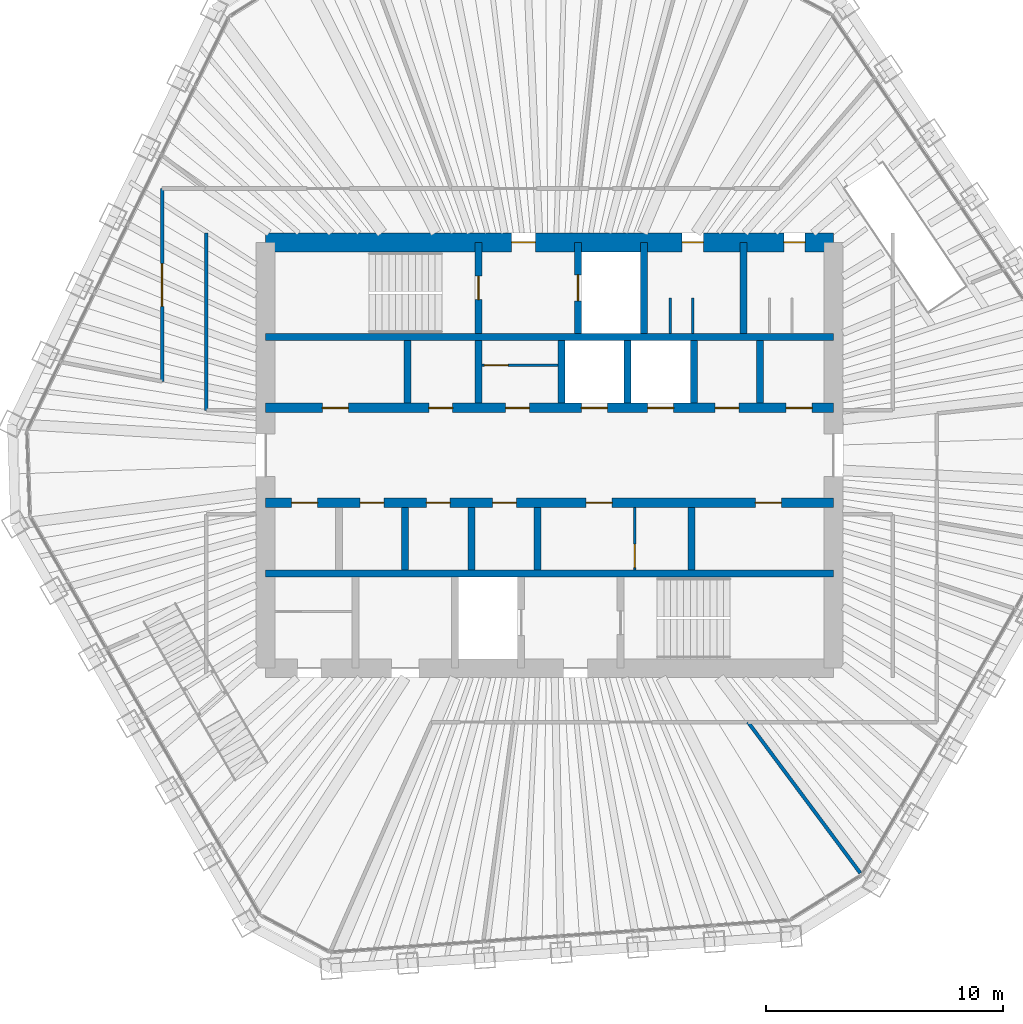
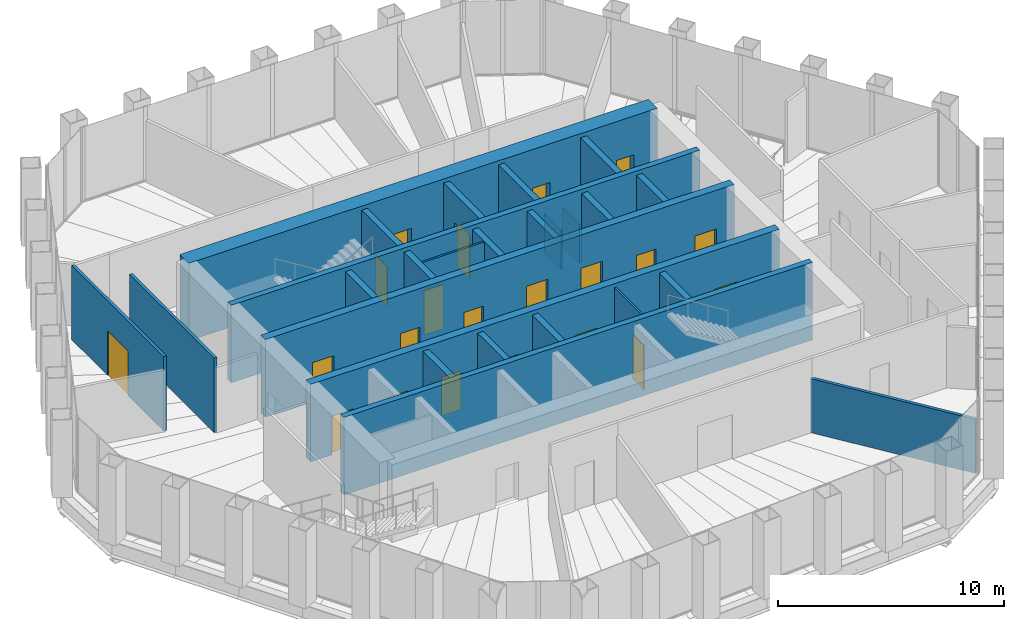
# One storey, part 14 of 17: 26 walls, 21 doors, 21 openings.
"""IFC4 building model written with IfcOpenShell, lengths in metres."""

from ifc_helpers import new_model, si_unit, direction, frame, frame_2d, origin, place, context, subcontext, project, spatial, rectangle, extrude, material, layer, layer_set, type_object, element, fill, save


model = new_model("IFC4")

# Units and contexts
model_context = context("Model", 3, precision=1e-05, world=origin(), true_north=direction((0.0, 1.0)))
body_context = subcontext(model_context, "Body", "Model", "MODEL_VIEW")
ifc_project = project(units=[si_unit("LENGTHUNIT", "METRE"), si_unit("AREAUNIT", "SQUARE_METRE"), si_unit("VOLUMEUNIT", "CUBIC_METRE"), si_unit("PLANEANGLEUNIT", "RADIAN"), si_unit("MASSUNIT", "GRAM", prefix="KILO")], contexts=[model_context])

# Site, building, storey
site_placement = place(None, origin())
site = spatial("IfcSite", under=ifc_project, at=site_placement, CompositionType="ELEMENT")
building_placement = place(site_placement, origin())
building = spatial("IfcBuilding", under=site, at=building_placement, Name="Qingtian Harvest Tower", CompositionType="ELEMENT")
storey_placement = place(building_placement, frame((0.0, 0.0, 329.199951171875)))
storey = spatial("IfcBuildingStorey", under=building, at=storey_placement, Name="L73", CompositionType="ELEMENT", Elevation=329.199951171875)

# Walls
ifc_material_1 = material(Name="Concrete fc' 70 MPa", Category="concrete")
ifc_layer_1 = layer(ifc_material_1, 0.300048828125)
ifc_layer_set_1 = layer_set([ifc_layer_1], Name="Core inner wall RC5 300")
wall_type_1 = type_object("IfcWallType", Name="Core inner wall RC5 300", PredefinedType="SHEAR", material=ifc_layer_set_1)
for number, where, z_axis, x_axis, name in (
    (1, (-12.0, 5.0, 0.0), (0.0, 0.0, 1.0), (1.0, 0.0, 0.0), "Core wall IN5 L73"),
    (2, (-12.0, -5.0, 0.0), (0.0, 0.0, 1.0), (1.0, 0.0, 0.0), "Core wall IS5 L73"),
):
    element("IfcWall", number, at=place(storey_placement, frame(where, z_axis=z_axis, x_axis=x_axis)), inside=storey, type_object=wall_type_1, Name=name, PredefinedType="SHEAR", context=body_context, shape_type="SweptSolid", body=[
        extrude(rectangle(XDim=24.0, YDim=0.300048828125, at=frame_2d((12.0, 0.0))), origin(), (0.0, 0.0, 1.0), 4.199951171875),
    ])

# Wall, openings, doors
ifc_material_2 = material(Name="Concrete fc' 70 MPa", Category="concrete")
ifc_layer_2 = layer(ifc_material_2, 0.39990234375)
ifc_layer_set_2 = layer_set([ifc_layer_2], Name="Core inner web RC6 400")
wall_type_2 = type_object("IfcWallType", Name="Core inner web RC6 400", PredefinedType="SHEAR", material=ifc_layer_set_2)
wall_1_placement = place(storey_placement, frame((-12.0, 2.0, 0.0), z_axis=(0.0, 0.0, 1.0), x_axis=(1.0, 0.0, 0.0)))
wall_1 = element("IfcWall", 3, at=wall_1_placement, inside=storey, type_object=wall_type_2, Name="Core wall IN2 L73", PredefinedType="SHEAR", context=body_context, shape_type="SweptSolid", body=[
    extrude(rectangle(XDim=24.0, YDim=0.39990234375, at=frame_2d((12.0, 0.0))), origin(), (0.0, 0.0, 1.0), 4.199951171875),
])
opening_1_placement = place(wall_1_placement, frame((2.39990234375, 0.0, 0.0)))
opening_1 = element("IfcOpeningElement", 4, at=opening_1_placement, cuts=wall_1, Name="Opening FD4", PredefinedType="OPENING", context=body_context, shape_type="SweptSolid", body=[
    extrude(rectangle(XDim=1.10009765625, YDim=2.10009765625, at=frame_2d((0.550048828125, 1.050048828125))), frame((0.0, 0.2099609375, 0.0), z_axis=(0.0, -1.0, 0.0), x_axis=(1.0, 0.0, 0.0)), (0.0, 0.0, 1.0), 0.419921875),
])
opening_2_placement = place(wall_1_placement, frame((22.0, 0.0, 0.0)))
opening_2 = element("IfcOpeningElement", 5, at=opening_2_placement, cuts=wall_1, Name="Opening FD4", PredefinedType="OPENING", context=body_context, shape_type="SweptSolid", body=[
    extrude(rectangle(XDim=1.10009765625, YDim=2.10009765625, at=frame_2d((0.550048828125, 1.050048828125))), frame((0.0, 0.2099609375, 0.0), z_axis=(0.0, -1.0, 0.0), x_axis=(1.0, 0.0, 0.0)), (0.0, 0.0, 1.0), 0.419921875),
])
opening_3_placement = place(wall_1_placement, frame((10.14990234375, 0.0, 0.0)))
opening_3 = element("IfcOpeningElement", 6, at=opening_3_placement, cuts=wall_1, Name="Opening FD1", PredefinedType="OPENING", context=body_context, shape_type="SweptSolid", body=[
    extrude(rectangle(XDim=1.0, YDim=2.10009765625, at=frame_2d((0.5, 1.050048828125))), frame((0.0, 0.2099609375, 0.0), z_axis=(0.0, -1.0, 0.0), x_axis=(1.0, 0.0, 0.0)), (0.0, 0.0, 1.0), 0.419921875),
])
opening_4_placement = place(wall_1_placement, frame((6.89990234375, 0.0, 0.0)))
opening_4 = element("IfcOpeningElement", 7, at=opening_4_placement, cuts=wall_1, Name="Opening FD1", PredefinedType="OPENING", context=body_context, shape_type="SweptSolid", body=[
    extrude(rectangle(XDim=1.0, YDim=2.10009765625, at=frame_2d((0.5, 1.050048828125))), frame((0.0, 0.2099609375, 0.0), z_axis=(0.0, -1.0, 0.0), x_axis=(1.0, 0.0, 0.0)), (0.0, 0.0, 1.0), 0.419921875),
])
opening_5_placement = place(wall_1_placement, frame((13.35009765625, 0.0, 0.0)))
opening_5 = element("IfcOpeningElement", 8, at=opening_5_placement, cuts=wall_1, Name="Opening LD1", PredefinedType="OPENING", context=body_context, shape_type="SweptSolid", body=[
    extrude(rectangle(XDim=1.10009765625, YDim=2.39990234375, at=frame_2d((0.550048828125, 1.199951171875))), frame((0.0, 0.2099609375, 0.0), z_axis=(0.0, -1.0, 0.0), x_axis=(1.0, 0.0, 0.0)), (0.0, 0.0, 1.0), 0.419921875),
])
opening_6_placement = place(wall_1_placement, frame((16.14990234375, 0.0, 0.0)))
opening_6 = element("IfcOpeningElement", 9, at=opening_6_placement, cuts=wall_1, Name="Opening LD1", PredefinedType="OPENING", context=body_context, shape_type="SweptSolid", body=[
    extrude(rectangle(XDim=1.10009765625, YDim=2.39990234375, at=frame_2d((0.550048828125, 1.199951171875))), frame((0.0, 0.2099609375, 0.0), z_axis=(0.0, -1.0, 0.0), x_axis=(1.0, 0.0, 0.0)), (0.0, 0.0, 1.0), 0.419921875),
])
opening_7_placement = place(wall_1_placement, frame((19.0, 0.0, 0.0)))
opening_7 = element("IfcOpeningElement", 10, at=opening_7_placement, cuts=wall_1, Name="Opening FD1", PredefinedType="OPENING", context=body_context, shape_type="SweptSolid", body=[
    extrude(rectangle(XDim=1.0, YDim=2.10009765625, at=frame_2d((0.5, 1.050048828125))), frame((0.0, 0.2099609375, 0.0), z_axis=(0.0, -1.0, 0.0), x_axis=(1.0, 0.0, 0.0)), (0.0, 0.0, 1.0), 0.419921875),
])
ifc_material_3 = material(Name="Steel-faced door leaf", Category="steel")
door_type_1 = type_object("IfcDoorType", Name="Fire door FD1 single 1 HR", OperationType="SINGLE_SWING_LEFT", PredefinedType="DOOR", material=ifc_material_3)
door_1_placement = place(opening_3_placement, origin())
door_1 = element("IfcDoor", 11, at=door_1_placement, inside=storey, type_object=door_type_1, Name="STA door L73", OperationType="SINGLE_SWING_RIGHT", OverallHeight=2.10009765625, OverallWidth=1.0, PredefinedType="DOOR", context=body_context, shape_type="SweptSolid", body=[
    extrude(rectangle(XDim=1.0, YDim=2.10009765625, at=frame_2d((0.5, 1.050048828125))), frame((0.0, 0.02490234375, 0.0), z_axis=(0.0, -1.0, 0.0), x_axis=(1.0, 0.0, 0.0)), (0.0, 0.0, 1.0), 0.050048828125),
])
fill(opening_3, door_1)
door_2_placement = place(opening_4_placement, origin())
door_2 = element("IfcDoor", 12, at=door_2_placement, inside=storey, type_object=door_type_1, Name="IT room door L73", OperationType="SINGLE_SWING_LEFT", OverallHeight=2.10009765625, OverallWidth=1.0, PredefinedType="DOOR", context=body_context, shape_type="SweptSolid", body=[
    extrude(rectangle(XDim=1.0, YDim=2.10009765625, at=frame_2d((0.5, 1.050048828125))), frame((0.0, 0.02490234375, 0.0), z_axis=(0.0, -1.0, 0.0), x_axis=(1.0, 0.0, 0.0)), (0.0, 0.0, 1.0), 0.050048828125),
])
fill(opening_4, door_2)
door_3_placement = place(opening_7_placement, origin())
door_3 = element("IfcDoor", 13, at=door_3_placement, inside=storey, type_object=door_type_1, Name="Tool store door L73", OperationType="SINGLE_SWING_LEFT", OverallHeight=2.10009765625, OverallWidth=1.0, PredefinedType="DOOR", context=body_context, shape_type="SweptSolid", body=[
    extrude(rectangle(XDim=1.0, YDim=2.10009765625, at=frame_2d((0.5, 1.050048828125))), frame((0.0, 0.02490234375, 0.0), z_axis=(0.0, -1.0, 0.0), x_axis=(1.0, 0.0, 0.0)), (0.0, 0.0, 1.0), 0.050048828125),
])
fill(opening_7, door_3)
ifc_material_4 = material(Name="Steel-faced door leaf", Category="steel")
door_type_2 = type_object("IfcDoorType", Name="Fire door FD4 single 2 HR", OperationType="SINGLE_SWING_LEFT", PredefinedType="DOOR", material=ifc_material_4)
door_4_placement = place(opening_1_placement, origin())
door_4 = element("IfcDoor", 14, at=door_4_placement, inside=storey, type_object=door_type_2, Name="RA door L73", OperationType="SINGLE_SWING_RIGHT", OverallHeight=2.10009765625, OverallWidth=1.10009765625, PredefinedType="DOOR", context=body_context, shape_type="SweptSolid", body=[
    extrude(rectangle(XDim=1.10009765625, YDim=2.10009765625, at=frame_2d((0.550048828125, 1.050048828125))), frame((0.0, 0.02490234375, 0.0), z_axis=(0.0, -1.0, 0.0), x_axis=(1.0, 0.0, 0.0)), (0.0, 0.0, 1.0), 0.050048828125),
])
fill(opening_1, door_4)
door_5_placement = place(opening_2_placement, origin())
door_5 = element("IfcDoor", 15, at=door_5_placement, inside=storey, type_object=door_type_2, Name="AHU door L73", OperationType="SINGLE_SWING_LEFT", OverallHeight=2.10009765625, OverallWidth=1.10009765625, PredefinedType="DOOR", context=body_context, shape_type="SweptSolid", body=[
    extrude(rectangle(XDim=1.10009765625, YDim=2.10009765625, at=frame_2d((0.550048828125, 1.050048828125))), frame((0.0, 0.02490234375, 0.0), z_axis=(0.0, -1.0, 0.0), x_axis=(1.0, 0.0, 0.0)), (0.0, 0.0, 1.0), 0.050048828125),
])
fill(opening_2, door_5)
ifc_material_5 = material(Name="Stainless steel lift landing door", Category="steel")
door_type_3 = type_object("IfcDoorType", Name="Lift landing door LD1 1 HR", OperationType="DOUBLE_DOOR_SLIDING", PredefinedType="DOOR", material=ifc_material_5)
door_6_placement = place(opening_5_placement, origin())
door_6 = element("IfcDoor", 16, at=door_6_placement, inside=storey, type_object=door_type_3, Name="PLD1 landing door L73", OperationType="DOUBLE_DOOR_SLIDING", OverallHeight=2.39990234375, OverallWidth=1.10009765625, PredefinedType="DOOR", context=body_context, shape_type="SweptSolid", body=[
    extrude(rectangle(XDim=1.10009765625, YDim=2.39990234375, at=frame_2d((0.550048828125, 1.199951171875))), frame((0.0, 0.02490234375, 0.0), z_axis=(0.0, -1.0, 0.0), x_axis=(1.0, 0.0, 0.0)), (0.0, 0.0, 1.0), 0.050048828125),
])
fill(opening_5, door_6)
door_7_placement = place(opening_6_placement, origin())
door_7 = element("IfcDoor", 17, at=door_7_placement, inside=storey, type_object=door_type_3, Name="PLD2 landing door L73", OperationType="DOUBLE_DOOR_SLIDING", OverallHeight=2.39990234375, OverallWidth=1.10009765625, PredefinedType="DOOR", context=body_context, shape_type="SweptSolid", body=[
    extrude(rectangle(XDim=1.10009765625, YDim=2.39990234375, at=frame_2d((0.550048828125, 1.199951171875))), frame((0.0, 0.02490234375, 0.0), z_axis=(0.0, -1.0, 0.0), x_axis=(1.0, 0.0, 0.0)), (0.0, 0.0, 1.0), 0.050048828125),
])
fill(opening_6, door_7)

wall_2_placement = place(storey_placement, frame((-12.0, -2.0, 0.0), z_axis=(0.0, 0.0, 1.0), x_axis=(1.0, 0.0, 0.0)))
wall_2 = element("IfcWall", 18, at=wall_2_placement, inside=storey, type_object=wall_type_2, Name="Core wall IS2 L73", PredefinedType="SHEAR", context=body_context, shape_type="SweptSolid", body=[
    extrude(rectangle(XDim=24.0, YDim=0.39990234375, at=frame_2d((12.0, 0.0))), origin(), (0.0, 0.0, 1.0), 4.199951171875),
])
opening_8_placement = place(wall_2_placement, frame((1.10009765625, 0.0, 0.0)))
opening_8 = element("IfcOpeningElement", 19, at=opening_8_placement, cuts=wall_2, Name="Opening FD4", PredefinedType="OPENING", context=body_context, shape_type="SweptSolid", body=[
    extrude(rectangle(XDim=1.10009765625, YDim=2.10009765625, at=frame_2d((0.550048828125, 1.050048828125))), frame((0.0, 0.2099609375, 0.0), z_axis=(0.0, -1.0, 0.0), x_axis=(1.0, 0.0, 0.0)), (0.0, 0.0, 1.0), 0.419921875),
])
opening_9_placement = place(wall_2_placement, frame((13.550048828125, 0.0, 0.0)))
opening_9 = element("IfcOpeningElement", 20, at=opening_9_placement, cuts=wall_2, Name="Opening FD4", PredefinedType="OPENING", context=body_context, shape_type="SweptSolid", body=[
    extrude(rectangle(XDim=1.10009765625, YDim=2.10009765625, at=frame_2d((0.550048828125, 1.050048828125))), frame((0.0, 0.2099609375, 0.0), z_axis=(0.0, -1.0, 0.0), x_axis=(1.0, 0.0, 0.0)), (0.0, 0.0, 1.0), 0.419921875),
])
opening_10_placement = place(wall_2_placement, frame((20.699951171875, 0.0, 0.0)))
opening_10 = element("IfcOpeningElement", 21, at=opening_10_placement, cuts=wall_2, Name="Opening FD4", PredefinedType="OPENING", context=body_context, shape_type="SweptSolid", body=[
    extrude(rectangle(XDim=1.10009765625, YDim=2.10009765625, at=frame_2d((0.550048828125, 1.050048828125))), frame((0.0, 0.2099609375, 0.0), z_axis=(0.0, -1.0, 0.0), x_axis=(1.0, 0.0, 0.0)), (0.0, 0.0, 1.0), 0.419921875),
])
opening_11_placement = place(wall_2_placement, frame((4.0, 0.0, 0.0)))
opening_11 = element("IfcOpeningElement", 22, at=opening_11_placement, cuts=wall_2, Name="Opening FD1", PredefinedType="OPENING", context=body_context, shape_type="SweptSolid", body=[
    extrude(rectangle(XDim=1.0, YDim=2.10009765625, at=frame_2d((0.5, 1.050048828125))), frame((0.0, 0.2099609375, 0.0), z_axis=(0.0, -1.0, 0.0), x_axis=(1.0, 0.0, 0.0)), (0.0, 0.0, 1.0), 0.419921875),
])
opening_12_placement = place(wall_2_placement, frame((6.800048828125, 0.0, 0.0)))
opening_12 = element("IfcOpeningElement", 23, at=opening_12_placement, cuts=wall_2, Name="Opening FD1", PredefinedType="OPENING", context=body_context, shape_type="SweptSolid", body=[
    extrude(rectangle(XDim=1.0, YDim=2.10009765625, at=frame_2d((0.5, 1.050048828125))), frame((0.0, 0.2099609375, 0.0), z_axis=(0.0, -1.0, 0.0), x_axis=(1.0, 0.0, 0.0)), (0.0, 0.0, 1.0), 0.419921875),
])
opening_13_placement = place(wall_2_placement, frame((9.60009765625, 0.0, 0.0)))
opening_13 = element("IfcOpeningElement", 24, at=opening_13_placement, cuts=wall_2, Name="Opening FD1", PredefinedType="OPENING", context=body_context, shape_type="SweptSolid", body=[
    extrude(rectangle(XDim=1.0, YDim=2.10009765625, at=frame_2d((0.5, 1.050048828125))), frame((0.0, 0.2099609375, 0.0), z_axis=(0.0, -1.0, 0.0), x_axis=(1.0, 0.0, 0.0)), (0.0, 0.0, 1.0), 0.419921875),
])
door_8_placement = place(opening_11_placement, origin())
door_8 = element("IfcDoor", 25, at=door_8_placement, inside=storey, type_object=door_type_1, Name="Store door L73", OperationType="SINGLE_SWING_LEFT", OverallHeight=2.10009765625, OverallWidth=1.0, PredefinedType="DOOR", context=body_context, shape_type="SweptSolid", body=[
    extrude(rectangle(XDim=1.0, YDim=2.10009765625, at=frame_2d((0.5, 1.050048828125))), frame((0.0, 0.02490234375, 0.0), z_axis=(0.0, -1.0, 0.0), x_axis=(1.0, 0.0, 0.0)), (0.0, 0.0, 1.0), 0.050048828125),
])
fill(opening_11, door_8)
door_9_placement = place(opening_12_placement, origin())
door_9 = element("IfcDoor", 26, at=door_9_placement, inside=storey, type_object=door_type_1, Name="Linen store door L73", OperationType="SINGLE_SWING_LEFT", OverallHeight=2.10009765625, OverallWidth=1.0, PredefinedType="DOOR", context=body_context, shape_type="SweptSolid", body=[
    extrude(rectangle(XDim=1.0, YDim=2.10009765625, at=frame_2d((0.5, 1.050048828125))), frame((0.0, 0.02490234375, 0.0), z_axis=(0.0, -1.0, 0.0), x_axis=(1.0, 0.0, 0.0)), (0.0, 0.0, 1.0), 0.050048828125),
])
fill(opening_12, door_9)
door_10_placement = place(opening_13_placement, origin())
door_10 = element("IfcDoor", 27, at=door_10_placement, inside=storey, type_object=door_type_1, Name="Linen store door L73", OperationType="SINGLE_SWING_LEFT", OverallHeight=2.10009765625, OverallWidth=1.0, PredefinedType="DOOR", context=body_context, shape_type="SweptSolid", body=[
    extrude(rectangle(XDim=1.0, YDim=2.10009765625, at=frame_2d((0.5, 1.050048828125))), frame((0.0, 0.02490234375, 0.0), z_axis=(0.0, -1.0, 0.0), x_axis=(1.0, 0.0, 0.0)), (0.0, 0.0, 1.0), 0.050048828125),
])
fill(opening_13, door_10)
door_11_placement = place(opening_8_placement, origin())
door_11 = element("IfcDoor", 28, at=door_11_placement, inside=storey, type_object=door_type_2, Name="RB door L73", OperationType="SINGLE_SWING_RIGHT", OverallHeight=2.10009765625, OverallWidth=1.10009765625, PredefinedType="DOOR", context=body_context, shape_type="SweptSolid", body=[
    extrude(rectangle(XDim=1.10009765625, YDim=2.10009765625, at=frame_2d((0.550048828125, 1.050048828125))), frame((0.0, 0.02490234375, 0.0), z_axis=(0.0, -1.0, 0.0), x_axis=(1.0, 0.0, 0.0)), (0.0, 0.0, 1.0), 0.050048828125),
])
fill(opening_8, door_11)
door_12_placement = place(opening_9_placement, origin())
door_12 = element("IfcDoor", 29, at=door_12_placement, inside=storey, type_object=door_type_2, Name="ELEC door L73", OperationType="SINGLE_SWING_LEFT", OverallHeight=2.10009765625, OverallWidth=1.10009765625, PredefinedType="DOOR", context=body_context, shape_type="SweptSolid", body=[
    extrude(rectangle(XDim=1.10009765625, YDim=2.10009765625, at=frame_2d((0.550048828125, 1.050048828125))), frame((0.0, 0.02490234375, 0.0), z_axis=(0.0, -1.0, 0.0), x_axis=(1.0, 0.0, 0.0)), (0.0, 0.0, 1.0), 0.050048828125),
])
fill(opening_9, door_12)
door_13_placement = place(opening_10_placement, origin())
door_13 = element("IfcDoor", 30, at=door_13_placement, inside=storey, type_object=door_type_2, Name="DUCT door L73", OperationType="SINGLE_SWING_RIGHT", OverallHeight=2.10009765625, OverallWidth=1.10009765625, PredefinedType="DOOR", context=body_context, shape_type="SweptSolid", body=[
    extrude(rectangle(XDim=1.10009765625, YDim=2.10009765625, at=frame_2d((0.550048828125, 1.050048828125))), frame((0.0, 0.02490234375, 0.0), z_axis=(0.0, -1.0, 0.0), x_axis=(1.0, 0.0, 0.0)), (0.0, 0.0, 1.0), 0.050048828125),
])
fill(opening_10, door_13)

# Wall, opening, door
ifc_material_6 = material(Name="Precast concrete shaft panel", Category="concrete")
ifc_layer_3 = layer(ifc_material_6, 0.300048828125)
ifc_layer_set_3 = layer_set([ifc_layer_3], Name="Core shaft partition SW1 300")
wall_type_3 = type_object("IfcWallType", Name="Core shaft partition SW1 300", PredefinedType="PARTITIONING", material=ifc_layer_set_3)
wall_3_placement = place(storey_placement, frame((-3.0, 5.14990234375, 0.0), z_axis=(0.0, 0.0, 1.0), x_axis=(0.0, 1.0, 0.0)))
wall_3 = element("IfcWall", 31, at=wall_3_placement, inside=storey, type_object=wall_type_3, Name="Core shaft partition XN1 L73", PredefinedType="PARTITIONING", context=body_context, shape_type="SweptSolid", body=[
    extrude(rectangle(XDim=3.85009765625, YDim=0.300048828125, at=frame_2d((1.925048828125, 0.0))), origin(), (0.0, 0.0, 1.0), 3.97998046875),
])
opening_14_placement = place(wall_3_placement, frame((1.425048828125, 0.0, 0.0)))
opening_14 = element("IfcOpeningElement", 32, at=opening_14_placement, cuts=wall_3, Name="Opening FD1", PredefinedType="OPENING", context=body_context, shape_type="SweptSolid", body=[
    extrude(rectangle(XDim=1.0, YDim=2.10009765625, at=frame_2d((0.5, 1.050048828125))), frame((0.0, 0.159912109375, 0.0), z_axis=(0.0, -1.0, 0.0), x_axis=(1.0, 0.0, 0.0)), (0.0, 0.0, 1.0), 0.320068359375),
])
door_14_placement = place(opening_14_placement, origin())
door_14 = element("IfcDoor", 33, at=door_14_placement, inside=storey, type_object=door_type_1, Name="S1 door L73", OperationType="SINGLE_SWING_LEFT", OverallHeight=2.10009765625, OverallWidth=1.0, PredefinedType="DOOR", context=body_context, shape_type="SweptSolid", body=[
    extrude(rectangle(XDim=1.0, YDim=2.10009765625, at=frame_2d((0.5, 1.050048828125))), frame((0.0, 0.02490234375, 0.0), z_axis=(0.0, -1.0, 0.0), x_axis=(1.0, 0.0, 0.0)), (0.0, 0.0, 1.0), 0.050048828125),
])
fill(opening_14, door_14)

wall_4_placement = place(storey_placement, frame((1.199951171875, 5.14990234375, 0.0), z_axis=(0.0, 0.0, 1.0), x_axis=(0.0, 1.0, 0.0)))
wall_4 = element("IfcWall", 34, at=wall_4_placement, inside=storey, type_object=wall_type_3, Name="Core shaft partition XN2 L73", PredefinedType="PARTITIONING", context=body_context, shape_type="SweptSolid", body=[
    extrude(rectangle(XDim=3.85009765625, YDim=0.300048828125, at=frame_2d((1.925048828125, 0.0))), origin(), (0.0, 0.0, 1.0), 3.97998046875),
])
opening_15_placement = place(wall_4_placement, frame((1.375, 0.0, 0.0)))
opening_15 = element("IfcOpeningElement", 35, at=opening_15_placement, cuts=wall_4, Name="Opening LD1", PredefinedType="OPENING", context=body_context, shape_type="SweptSolid", body=[
    extrude(rectangle(XDim=1.10009765625, YDim=2.39990234375, at=frame_2d((0.550048828125, 1.199951171875))), frame((0.0, 0.159912109375, 0.0), z_axis=(0.0, -1.0, 0.0), x_axis=(1.0, 0.0, 0.0)), (0.0, 0.0, 1.0), 0.320068359375),
])
door_15_placement = place(opening_15_placement, origin())
door_15 = element("IfcDoor", 36, at=door_15_placement, inside=storey, type_object=door_type_3, Name="FL1 landing door L73", OperationType="DOUBLE_DOOR_SLIDING", OverallHeight=2.39990234375, OverallWidth=1.10009765625, PredefinedType="DOOR", context=body_context, shape_type="SweptSolid", body=[
    extrude(rectangle(XDim=1.10009765625, YDim=2.39990234375, at=frame_2d((0.550048828125, 1.199951171875))), frame((0.0, 0.02490234375, 0.0), z_axis=(0.0, -1.0, 0.0), x_axis=(1.0, 0.0, 0.0)), (0.0, 0.0, 1.0), 0.050048828125),
])
fill(opening_15, door_15)

# Walls
for number, where, z_axis, x_axis, name in (
    (37, (4.0, 5.14990234375, 0.0), (0.0, 0.0, 1.0), (0.0, 1.0, 0.0), "Core shaft partition XN3 L73"),
    (38, (8.199951171875, 5.14990234375, 0.0), (0.0, 0.0, 1.0), (0.0, 1.0, 0.0), "Core shaft partition XN4 L73"),
):
    element("IfcWall", number, at=place(storey_placement, frame(where, z_axis=z_axis, x_axis=x_axis)), inside=storey, type_object=wall_type_3, Name=name, PredefinedType="PARTITIONING", context=body_context, shape_type="SweptSolid", body=[
        extrude(rectangle(XDim=3.85009765625, YDim=0.300048828125, at=frame_2d((1.925048828125, 0.0))), origin(), (0.0, 0.0, 1.0), 3.97998046875),
    ])
for number, where, z_axis, x_axis, name in (
    (39, (-6.0, 2.199951171875, 0.0), (0.0, 0.0, 1.0), (0.0, 1.0, 0.0), "Core shaft partition XA1 L73"),
    (40, (-3.0, 2.199951171875, 0.0), (0.0, 0.0, 1.0), (0.0, 1.0, 0.0), "Core shaft partition XA2 L73"),
    (41, (0.5, 2.199951171875, 0.0), (0.0, 0.0, 1.0), (0.0, 1.0, 0.0), "Core shaft partition XA3 L73"),
    (42, (3.300048828125, 2.199951171875, 0.0), (0.0, 0.0, 1.0), (0.0, 1.0, 0.0), "Core shaft partition XA4 L73"),
    (43, (6.10009765625, 2.199951171875, 0.0), (0.0, 0.0, 1.0), (0.0, 1.0, 0.0), "Core shaft partition XA5 L73"),
    (44, (8.89990234375, 2.199951171875, 0.0), (0.0, 0.0, 1.0), (0.0, 1.0, 0.0), "Core shaft partition XA6 L73"),
    (45, (-6.10009765625, -4.85009765625, 0.0), (0.0, 0.0, 1.0), (0.0, 1.0, 0.0), "Core shaft partition XB2 L73"),
    (46, (-3.300048828125, -4.85009765625, 0.0), (0.0, 0.0, 1.0), (0.0, 1.0, 0.0), "Core shaft partition XB3 L73"),
    (47, (-0.5, -4.85009765625, 0.0), (0.0, 0.0, 1.0), (0.0, 1.0, 0.0), "Core shaft partition XB4 L73"),
    (48, (6.0, -4.85009765625, 0.0), (0.0, 0.0, 1.0), (0.0, 1.0, 0.0), "Core shaft partition XB5 L73"),
):
    element("IfcWall", number, at=place(storey_placement, frame(where, z_axis=z_axis, x_axis=x_axis)), inside=storey, type_object=wall_type_3, Name=name, PredefinedType="PARTITIONING", context=body_context, shape_type="SweptSolid", body=[
        extrude(rectangle(XDim=2.650146484375, YDim=0.300048828125, at=frame_2d((1.3251953125, 0.0))), origin(), (0.0, 0.0, 1.0), 3.97998046875),
    ])

# Wall, openings, doors
ifc_material_7 = material(Name="Concrete fc' 70 MPa", Category="concrete")
ifc_layer_4 = layer(ifc_material_7, 0.800048828125)
ifc_layer_set_4 = layer_set([ifc_layer_4], Name="Core wall RC4 800")
wall_type_4 = type_object("IfcWallType", Name="Core wall RC4 800", PredefinedType="SHEAR", material=ifc_layer_set_4)
wall_5_placement = place(storey_placement, frame((-12.0, 9.0, 0.0), z_axis=(0.0, 0.0, 1.0), x_axis=(1.0, 0.0, 0.0)))
wall_5 = element("IfcWall", 49, at=wall_5_placement, inside=storey, type_object=wall_type_4, Name="Core wall CN L73", PredefinedType="SHEAR", context=body_context, shape_type="SweptSolid", body=[
    extrude(rectangle(XDim=24.0, YDim=0.800048828125, at=frame_2d((12.0, 0.0))), origin(), (0.0, 0.0, 1.0), 4.199951171875),
])
opening_16_placement = place(wall_5_placement, frame((10.39990234375, 0.0, 0.0)))
opening_16 = element("IfcOpeningElement", 50, at=opening_16_placement, cuts=wall_5, Name="Opening FD1", PredefinedType="OPENING", context=body_context, shape_type="SweptSolid", body=[
    extrude(rectangle(XDim=1.0, YDim=2.10009765625, at=frame_2d((0.5, 1.050048828125))), frame((0.0, 0.409912109375, 0.0), z_axis=(0.0, -1.0, 0.0), x_axis=(1.0, 0.0, 0.0)), (0.0, 0.0, 1.0), 0.820068359375),
])
opening_17_placement = place(wall_5_placement, frame((17.60009765625, 0.0, 0.0)))
opening_17 = element("IfcOpeningElement", 51, at=opening_17_placement, cuts=wall_5, Name="Opening D1", PredefinedType="OPENING", context=body_context, shape_type="SweptSolid", body=[
    extrude(rectangle(XDim=0.89990234375, YDim=2.10009765625, at=frame_2d((0.449951171875, 1.050048828125))), frame((0.0, 0.409912109375, 0.0), z_axis=(0.0, -1.0, 0.0), x_axis=(1.0, 0.0, 0.0)), (0.0, 0.0, 1.0), 0.820068359375),
])
opening_18_placement = place(wall_5_placement, frame((21.89990234375, 0.0, 0.0)))
opening_18 = element("IfcOpeningElement", 52, at=opening_18_placement, cuts=wall_5, Name="Opening D1", PredefinedType="OPENING", context=body_context, shape_type="SweptSolid", body=[
    extrude(rectangle(XDim=0.89990234375, YDim=2.10009765625, at=frame_2d((0.449951171875, 1.050048828125))), frame((0.0, 0.409912109375, 0.0), z_axis=(0.0, -1.0, 0.0), x_axis=(1.0, 0.0, 0.0)), (0.0, 0.0, 1.0), 0.820068359375),
])
door_16_placement = place(opening_16_placement, origin())
door_16 = element("IfcDoor", 53, at=door_16_placement, inside=storey, type_object=door_type_1, Name="V1 door L73", OperationType="SINGLE_SWING_RIGHT", OverallHeight=2.10009765625, OverallWidth=1.0, PredefinedType="DOOR", context=body_context, shape_type="SweptSolid", body=[
    extrude(rectangle(XDim=1.0, YDim=2.10009765625, at=frame_2d((0.5, 1.050048828125))), frame((0.0, 0.02490234375, 0.0), z_axis=(0.0, -1.0, 0.0), x_axis=(1.0, 0.0, 0.0)), (0.0, 0.0, 1.0), 0.050048828125),
])
fill(opening_16, door_16)
ifc_material_8 = material(Name="Laminated timber door leaf", Category="wood")
door_type_4 = type_object("IfcDoorType", Name="Toilet door D1 single", OperationType="SINGLE_SWING_LEFT", PredefinedType="DOOR", material=ifc_material_8)
door_17_placement = place(opening_17_placement, origin())
door_17 = element("IfcDoor", 54, at=door_17_placement, inside=storey, type_object=door_type_4, Name="WCM door L73", OperationType="SINGLE_SWING_RIGHT", OverallHeight=2.10009765625, OverallWidth=0.89990234375, PredefinedType="DOOR", context=body_context, shape_type="SweptSolid", body=[
    extrude(rectangle(XDim=0.89990234375, YDim=2.10009765625, at=frame_2d((0.449951171875, 1.050048828125))), frame((0.0, 0.02490234375, 0.0), z_axis=(0.0, -1.0, 0.0), x_axis=(1.0, 0.0, 0.0)), (0.0, 0.0, 1.0), 0.050048828125),
])
fill(opening_17, door_17)
door_18_placement = place(opening_18_placement, origin())
door_18 = element("IfcDoor", 55, at=door_18_placement, inside=storey, type_object=door_type_4, Name="WCF door L73", OperationType="SINGLE_SWING_RIGHT", OverallHeight=2.10009765625, OverallWidth=0.89990234375, PredefinedType="DOOR", context=body_context, shape_type="SweptSolid", body=[
    extrude(rectangle(XDim=0.89990234375, YDim=2.10009765625, at=frame_2d((0.449951171875, 1.050048828125))), frame((0.0, 0.02490234375, 0.0), z_axis=(0.0, -1.0, 0.0), x_axis=(1.0, 0.0, 0.0)), (0.0, 0.0, 1.0), 0.050048828125),
])
fill(opening_18, door_18)

# Wall
ifc_material_9 = material(Name="Gypsum board on steel studs", Category="steel")
ifc_layer_5 = layer(ifc_material_9, 0.14990234375)
ifc_layer_set_5 = layer_set([ifc_layer_5], Name="Partition PT1 150")
wall_type_5 = type_object("IfcWallType", Name="Partition PT1 150", PredefinedType="PARTITIONING", material=ifc_layer_set_5)
wall_6_placement = place(storey_placement, frame((13.1376953125, -17.661376953125, 0.0), z_axis=(0.0, 0.0, 1.0), x_axis=(-0.596829877953, 0.802367806422, 0.0)))
element("IfcWall", 56, at=wall_6_placement, inside=storey, type_object=wall_type_5, Name="Boardroom wall L73", PredefinedType="PARTITIONING", context=body_context, shape_type="SweptSolid", body=[
    extrude(rectangle(XDim=7.95947265625, YDim=0.14990234375, at=frame_2d((3.979736328125, 0.0))), origin(), (0.0, 0.0, 1.0), 2.929931640625),
])

# Wall, opening, door
wall_7_placement = place(storey_placement, frame((-16.375, 3.121826171875, 0.0), z_axis=(0.0, 0.0, 1.0), x_axis=(0.0, 1.0, 0.0)))
wall_7 = element("IfcWall", 57, at=wall_7_placement, inside=storey, type_object=wall_type_5, Name="Seminar room wall L73", PredefinedType="PARTITIONING", context=body_context, shape_type="SweptSolid", body=[
    extrude(rectangle(XDim=8.153076171875, YDim=0.14990234375, at=frame_2d((4.07666015625, 0.0))), origin(), (0.0, 0.0, 1.0), 4.030029296875),
])
opening_19_placement = place(wall_7_placement, frame((3.176513671875, 0.0, 0.0)))
opening_19 = element("IfcOpeningElement", 58, at=opening_19_placement, cuts=wall_7, Name="Opening D3", PredefinedType="OPENING", context=body_context, shape_type="SweptSolid", body=[
    extrude(rectangle(XDim=1.800048828125, YDim=2.39990234375, at=frame_2d((0.89990234375, 1.199951171875))), frame((0.0, 0.0849609375, 0.0), z_axis=(0.0, -1.0, 0.0), x_axis=(1.0, 0.0, 0.0)), (0.0, 0.0, 1.0), 0.169921875),
])
ifc_material_10 = material(Name="Laminated timber door leaf", Category="wood")
door_type_5 = type_object("IfcDoorType", Name="Room door D3 double", OperationType="DOUBLE_DOOR_DOUBLE_SWING", PredefinedType="DOOR", material=ifc_material_10)
door_19_placement = place(opening_19_placement, origin())
door_19 = element("IfcDoor", 59, at=door_19_placement, inside=storey, type_object=door_type_5, Name="Seminar room door L73", OperationType="DOUBLE_DOOR_DOUBLE_SWING", OverallHeight=2.39990234375, OverallWidth=1.800048828125, PredefinedType="DOOR", context=body_context, shape_type="SweptSolid", body=[
    extrude(rectangle(XDim=1.800048828125, YDim=2.39990234375, at=frame_2d((0.89990234375, 1.199951171875))), frame((0.0, 0.02490234375, 0.0), z_axis=(0.0, -1.0, 0.0), x_axis=(1.0, 0.0, 0.0)), (0.0, 0.0, 1.0), 0.050048828125),
])
fill(opening_19, door_19)

# Wall
wall_8_placement = place(storey_placement, frame((-14.5, 1.89990234375, 0.0), z_axis=(0.0, 0.0, 1.0), x_axis=(0.0, 1.0, 0.0)))
element("IfcWall", 60, at=wall_8_placement, inside=storey, type_object=wall_type_5, Name="Breakout space wall L73", PredefinedType="PARTITIONING", context=body_context, shape_type="SweptSolid", body=[
    extrude(rectangle(XDim=7.5, YDim=0.14990234375, at=frame_2d((3.75, 0.0))), origin(), (0.0, 0.0, 1.0), 4.030029296875),
])

# Wall, opening, door
ifc_material_11 = material(Name="Concrete block partition", Category="concrete")
ifc_layer_6 = layer(ifc_material_11, 0.10009765625)
ifc_layer_set_6 = layer_set([ifc_layer_6], Name="Store partition PT3 100")
wall_type_6 = type_object("IfcWallType", Name="Store partition PT3 100", PredefinedType="PARTITIONING", material=ifc_layer_set_6)
wall_9_placement = place(storey_placement, frame((-2.85009765625, 3.800048828125, 0.0), z_axis=(0.0, 0.0, 1.0), x_axis=(1.0, 0.0, 0.0)))
wall_9 = element("IfcWall", 61, at=wall_9_placement, inside=storey, type_object=wall_type_6, Name="Linen store wall L73", PredefinedType="PARTITIONING", context=body_context, shape_type="SweptSolid", body=[
    extrude(rectangle(XDim=3.2001953125, YDim=0.10009765625, at=frame_2d((1.60009765625, 0.0))), origin(), (0.0, 0.0, 1.0), 3.97998046875),
])
opening_20_placement = place(wall_9_placement, frame((0.10009765625, 0.0, 0.0)))
opening_20 = element("IfcOpeningElement", 62, at=opening_20_placement, cuts=wall_9, Name="Opening D2", PredefinedType="OPENING", context=body_context, shape_type="SweptSolid", body=[
    extrude(rectangle(XDim=1.0, YDim=2.39990234375, at=frame_2d((0.5, 1.199951171875))), frame((0.0, 0.06005859375, 0.0), z_axis=(0.0, -1.0, 0.0), x_axis=(1.0, 0.0, 0.0)), (0.0, 0.0, 1.0), 0.1201171875),
])
ifc_material_12 = material(Name="Laminated timber door leaf", Category="wood")
door_type_6 = type_object("IfcDoorType", Name="Room door D2 single", OperationType="SINGLE_SWING_LEFT", PredefinedType="DOOR", material=ifc_material_12)
door_20_placement = place(opening_20_placement, origin())
door_20 = element("IfcDoor", 63, at=door_20_placement, inside=storey, type_object=door_type_6, Name="Linen store door L73", OperationType="SINGLE_SWING_LEFT", OverallHeight=2.39990234375, OverallWidth=1.0, PredefinedType="DOOR", context=body_context, shape_type="SweptSolid", body=[
    extrude(rectangle(XDim=1.0, YDim=2.39990234375, at=frame_2d((0.5, 1.199951171875))), frame((0.0, 0.02490234375, 0.0), z_axis=(0.0, -1.0, 0.0), x_axis=(1.0, 0.0, 0.0)), (0.0, 0.0, 1.0), 0.050048828125),
])
fill(opening_20, door_20)

wall_10_placement = place(storey_placement, frame((3.60009765625, -4.85009765625, 0.0), z_axis=(0.0, 0.0, 1.0), x_axis=(0.0, 1.0, 0.0)))
wall_10 = element("IfcWall", 64, at=wall_10_placement, inside=storey, type_object=wall_type_6, Name="Comms room wall L73", PredefinedType="PARTITIONING", context=body_context, shape_type="SweptSolid", body=[
    extrude(rectangle(XDim=2.650146484375, YDim=0.10009765625, at=frame_2d((1.3251953125, 0.0))), origin(), (0.0, 0.0, 1.0), 3.97998046875),
])
opening_21_placement = place(wall_10_placement, frame((0.10009765625, 0.0, 0.0)))
opening_21 = element("IfcOpeningElement", 65, at=opening_21_placement, cuts=wall_10, Name="Opening D2", PredefinedType="OPENING", context=body_context, shape_type="SweptSolid", body=[
    extrude(rectangle(XDim=1.0, YDim=2.39990234375, at=frame_2d((0.5, 1.199951171875))), frame((0.0, 0.06005859375, 0.0), z_axis=(0.0, -1.0, 0.0), x_axis=(1.0, 0.0, 0.0)), (0.0, 0.0, 1.0), 0.1201171875),
])
door_21_placement = place(opening_21_placement, origin())
door_21 = element("IfcDoor", 66, at=door_21_placement, inside=storey, type_object=door_type_6, Name="Comms room door L73", OperationType="SINGLE_SWING_LEFT", OverallHeight=2.39990234375, OverallWidth=1.0, PredefinedType="DOOR", context=body_context, shape_type="SweptSolid", body=[
    extrude(rectangle(XDim=1.0, YDim=2.39990234375, at=frame_2d((0.5, 1.199951171875))), frame((0.0, 0.02490234375, 0.0), z_axis=(0.0, -1.0, 0.0), x_axis=(1.0, 0.0, 0.0)), (0.0, 0.0, 1.0), 0.050048828125),
])
fill(opening_21, door_21)

# Walls
ifc_material_13 = material(Name="Compact laminate cubicle partition", Category="plastic")
ifc_layer_7 = layer(ifc_material_13, 0.10009765625)
ifc_layer_set_7 = layer_set([ifc_layer_7], Name="WC cubicle partition WP1 100")
wall_type_7 = type_object("IfcWallType", Name="WC cubicle partition WP1 100", PredefinedType="PARTITIONING", material=ifc_layer_set_7)
for number, where, z_axis, x_axis, name in (
    (67, (5.10009765625, 5.14990234375, 0.0), (0.0, 0.0, 1.0), (0.0, 1.0, 0.0), "WC cubicle partition WCM L73"),
    (68, (6.050048828125, 5.14990234375, 0.0), (0.0, 0.0, 1.0), (0.0, 1.0, 0.0), "WC cubicle partition WCM L73"),
):
    element("IfcWall", number, at=place(storey_placement, frame(where, z_axis=z_axis, x_axis=x_axis)), inside=storey, type_object=wall_type_7, Name=name, PredefinedType="PARTITIONING", context=body_context, shape_type="SweptSolid", body=[
        extrude(rectangle(XDim=1.5, YDim=0.10009765625, at=frame_2d((0.75, 0.0))), origin(), (0.0, 0.0, 1.0), 2.10009765625),
    ])

save(model, "model.ifc")
